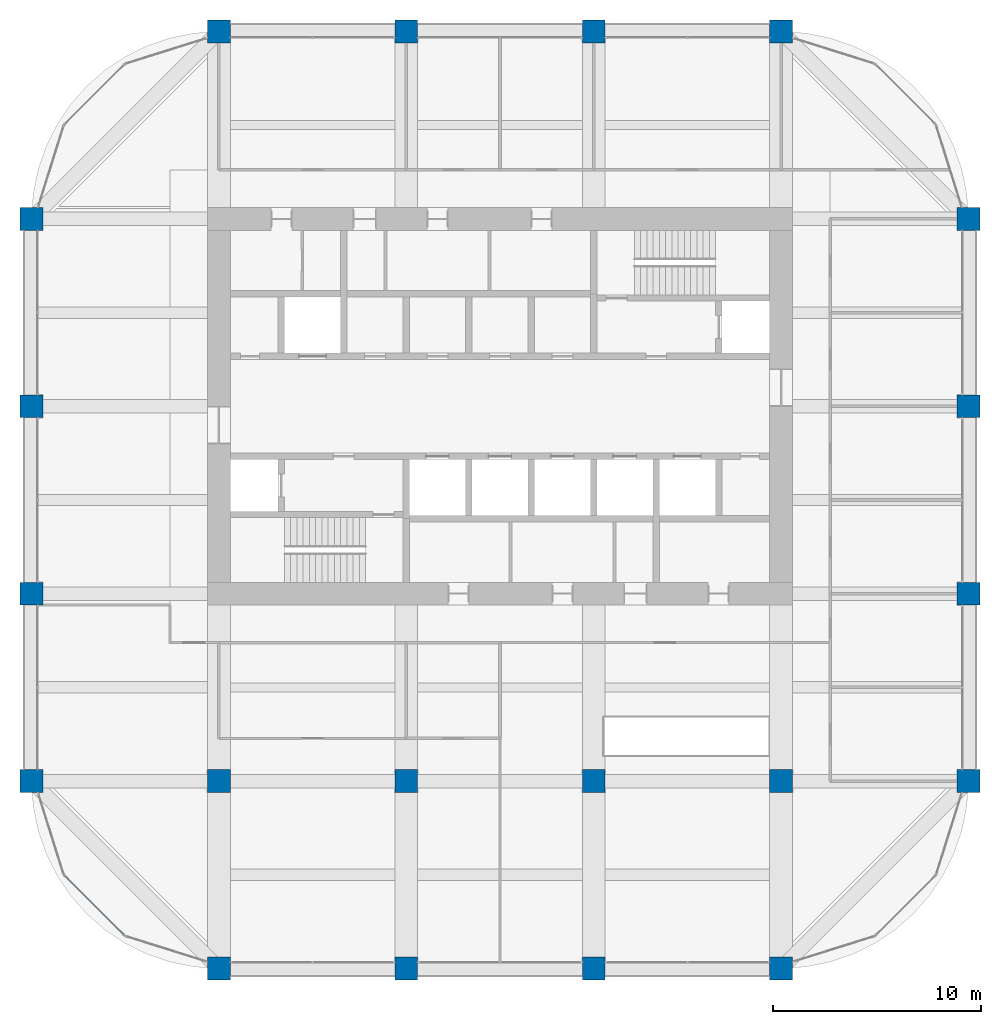
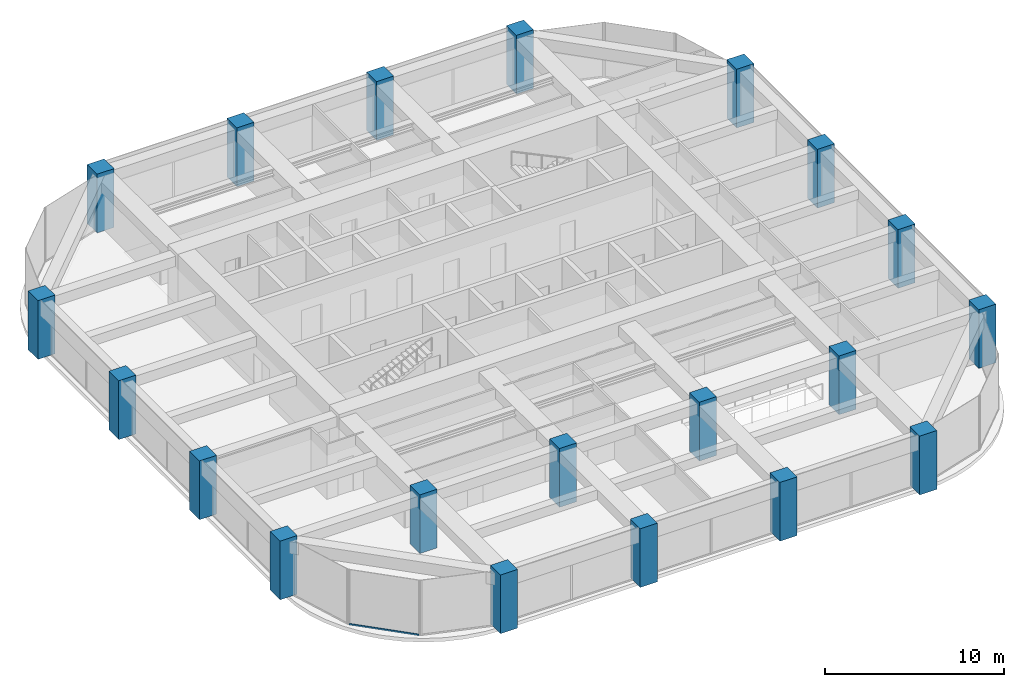
# One storey, part 1 of 44: 20 columns, 1 member, 1 element without a shape of its own.
"""IFC4 building model written with IfcOpenShell, lengths in metres."""

from ifc_helpers import new_model, si_unit, direction, frame, origin, origin_2d, place, context, subcontext, project, spatial, rectangle, hollow_rectangle, extrude, material, material_profile, profile_set, type_object, element, aggregate, save


model = new_model("IFC4")

# Units and contexts
model_context = context("Model", 3, precision=1e-05, world=origin(), true_north=direction((0.0, 1.0)))
body_context = subcontext(model_context, "Body", "Model", "MODEL_VIEW")
ifc_project = project(units=[si_unit("LENGTHUNIT", "METRE"), si_unit("AREAUNIT", "SQUARE_METRE"), si_unit("VOLUMEUNIT", "CUBIC_METRE"), si_unit("PLANEANGLEUNIT", "RADIAN"), si_unit("MASSUNIT", "GRAM", prefix="KILO")], contexts=[model_context])

# Site, building, storey
site_placement = place(None, origin())
site = spatial("IfcSite", under=ifc_project, at=site_placement, CompositionType="ELEMENT")
building_placement = place(site_placement, origin())
building = spatial("IfcBuilding", under=site, at=building_placement, Name="Zorevar Civic Tower", CompositionType="ELEMENT")
storey_placement = place(building_placement, frame((0.0, 0.0, 255.39990234375)))
storey = spatial("IfcBuildingStorey", under=building, at=storey_placement, Name="L62", CompositionType="ELEMENT", Elevation=255.39990234375)

# Columns
ifc_material_1 = material(Name="Concrete C50/60", Category="concrete")
ifc_material_profile_1 = material_profile(ifc_material_1, rectangle(XDim=1.10009765625, YDim=1.10009765625, at=origin_2d()), Name="RC 1100x1100")
ifc_profile_set_1 = profile_set([ifc_material_profile_1], Name="Concrete C50/60")
column_type = type_object("IfcColumnType", Name="Column RC 1100x1100", PredefinedType="COLUMN", material=ifc_profile_set_1)
for number, where, z_axis, x_axis, name in (
    (1, (9.0, 9.0, 0.0), (0.0, 0.0, 1.0), (1.0, 0.0, 0.0), "Column 3B L62"),
    (2, (9.0, 18.0, 0.0), (0.0, 0.0, 1.0), (1.0, 0.0, 0.0), "Column 3C L62"),
    (3, (9.0, 27.0, 0.0), (0.0, 0.0, 1.0), (1.0, 0.0, 0.0), "Column 3D L62"),
    (4, (9.0, 36.0, 0.0), (0.0, 0.0, 1.0), (1.0, 0.0, 0.0), "Column 3E L62"),
    (5, (18.0, 0.0, 0.0), (0.0, 0.0, 1.0), (1.0, 0.0, 0.0), "Column 4A L62"),
    (6, (18.0, 9.0, 0.0), (0.0, 0.0, 1.0), (1.0, 0.0, 0.0), "Column 4B L62"),
    (7, (18.0, 45.0, 0.0), (0.0, 0.0, 1.0), (1.0, 0.0, 0.0), "Column 4F L62"),
    (8, (27.0, 0.0, 0.0), (0.0, 0.0, 1.0), (1.0, 0.0, 0.0), "Column 5A L62"),
    (9, (27.0, 9.0, 0.0), (0.0, 0.0, 1.0), (1.0, 0.0, 0.0), "Column 5B L62"),
    (10, (27.0, 45.0, 0.0), (0.0, 0.0, 1.0), (1.0, 0.0, 0.0), "Column 5F L62"),
    (11, (36.0, 0.0, 0.0), (0.0, 0.0, 1.0), (1.0, 0.0, 0.0), "Column 6A L62"),
    (12, (36.0, 9.0, 0.0), (0.0, 0.0, 1.0), (1.0, 0.0, 0.0), "Column 6B L62"),
    (13, (36.0, 45.0, 0.0), (0.0, 0.0, 1.0), (1.0, 0.0, 0.0), "Column 6F L62"),
    (14, (45.0, 0.0, 0.0), (0.0, 0.0, 1.0), (1.0, 0.0, 0.0), "Column 7A L62"),
    (15, (45.0, 9.0, 0.0), (0.0, 0.0, 1.0), (1.0, 0.0, 0.0), "Column 7B L62"),
    (16, (45.0, 45.0, 0.0), (0.0, 0.0, 1.0), (1.0, 0.0, 0.0), "Column 7F L62"),
    (17, (54.0, 9.0, 0.0), (0.0, 0.0, 1.0), (1.0, 0.0, 0.0), "Column 8B L62"),
    (18, (54.0, 18.0, 0.0), (0.0, 0.0, 1.0), (1.0, 0.0, 0.0), "Column 8C L62"),
    (19, (54.0, 27.0, 0.0), (0.0, 0.0, 1.0), (1.0, 0.0, 0.0), "Column 8D L62"),
    (20, (54.0, 36.0, 0.0), (0.0, 0.0, 1.0), (1.0, 0.0, 0.0), "Column 8E L62"),
):
    element("IfcColumn", number, at=place(storey_placement, frame(where, z_axis=z_axis, x_axis=x_axis)), inside=storey, type_object=column_type, Name=name, PredefinedType="COLUMN", context=body_context, shape_type="SweptSolid", body=[
        extrude(rectangle(XDim=1.10009765625, YDim=1.10009765625, at=origin_2d()), origin(), (0.0, 0.0, 1.0), 4.0),
    ])

# Curtain wall, member
ifc_material_2 = material(Name="Dark grey solar-control glass in black aluminium frame", Category="aluminium")
curtain_wall_type = type_object("IfcCurtainWallType", Name="Curtain wall CW5 top zone", PredefinedType="NOTDEFINED", material=ifc_material_2)
curtain_wall_placement = place(storey_placement, origin())
curtain_wall = element("IfcCurtainWall", 21, at=curtain_wall_placement, inside=storey, type_object=curtain_wall_type, Name="CW5 L62", PredefinedType="NOTDEFINED")
ifc_material_3 = material(Name="Aluminium, black anodised", Category="aluminium")
ifc_material_profile_2 = material_profile(ifc_material_3, hollow_rectangle(XDim=0.06005859375, YDim=0.1201171875, WallThickness=0.0029296875, at=origin_2d()), Name="AL 120x60x3")
ifc_profile_set_2 = profile_set([ifc_material_profile_2], Name="Aluminium, black anodised")
member_type = type_object("IfcMemberType", Name="CW5 transom AL 120x60x3", PredefinedType="USERDEFINED", material=ifc_profile_set_2)
member_placement = place(storey_placement, frame((10.6015625, 4.44970703125, 0.030029296875), z_axis=(0.707106781187, -0.707106781187, 0.0), x_axis=(0.707106781187, 0.707106781187, 0.0)))
member = element("IfcMember", 22, at=member_placement, type_object=member_type, Name="CW5 sill transom", ObjectType="TRANSOM", PredefinedType="USERDEFINED", context=body_context, shape_type="SweptSolid", body=[
    extrude(hollow_rectangle(XDim=0.06005859375, YDim=0.1201171875, WallThickness=0.0029296875, at=origin_2d()), origin(), (0.0, 0.0, 1.0), 4.02783203125),
])
aggregate(curtain_wall, [member])

save(model, "model.ifc")
